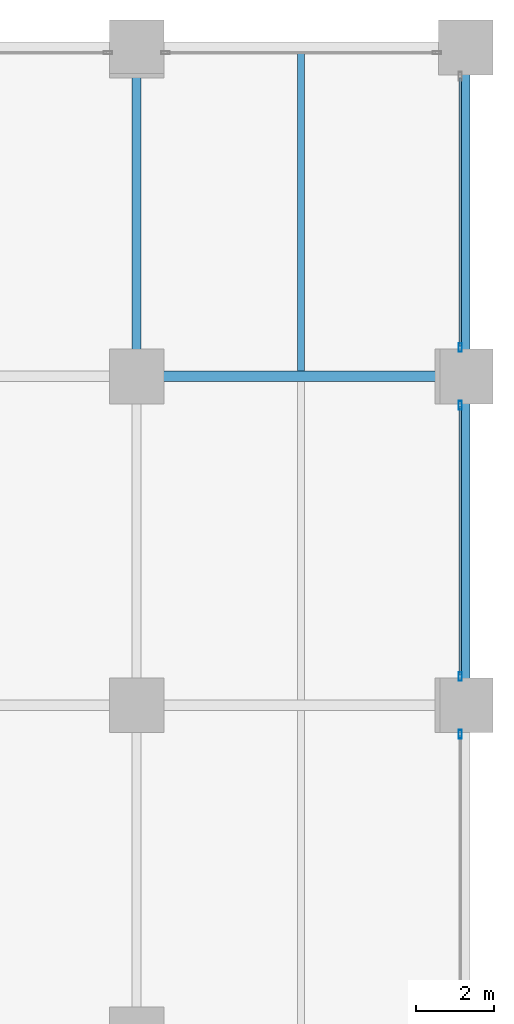
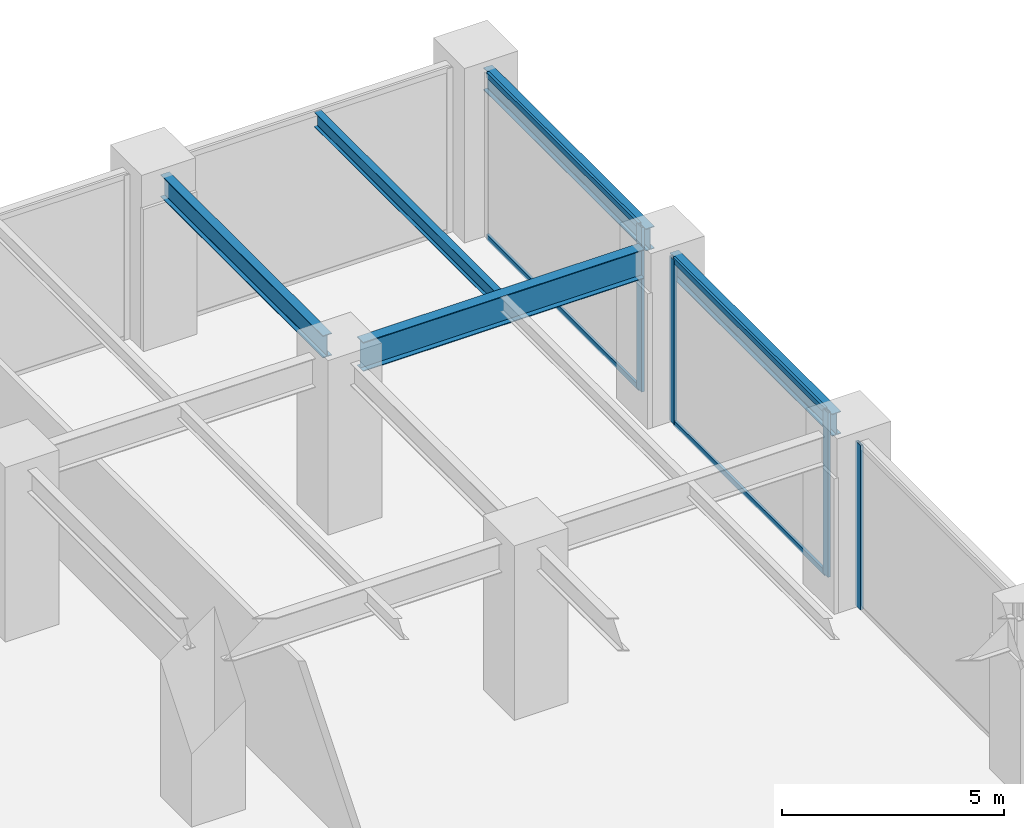
# One storey, part 15 of 24: 8 members, 5 beams, 3 elements without a shape of their own.
"""IFC4 building model written with IfcOpenShell, lengths in metres."""

import ifcopenshell
import ifcopenshell.guid

model = None  # the IFC model being written
_history = None  # IfcOwnerHistory: only IFC2X3 demands one
_inside = {}  # id of a spatial element -> (the spatial element, [elements in it])
_under = {}  # id of a project, library or spatial element -> (it, [spatial elements below it])
_declared = {}  # id of a project -> (the project, [libraries it declares])
_typed = {}  # id of a type object -> (the type object, [elements of that type])
_made_of = {}  # id of a material, layer set ... -> (it, [elements and type objects made of it])


def new_model(schema):
    """Start an empty IFC model of exactly this schema.

    Asked for "IFC4X3", IfcOpenShell would pick the latest addendum, in which some entities
    have other attributes; the version numbers below select the first issue.
    IFC2X3 requires an IfcOwnerHistory on every rooted entity: one is made here for all.
    """
    global model, _history
    if schema == "IFC4X3":
        model = ifcopenshell.file(schema_version=(4, 3, 0, 0))
    else:
        model = ifcopenshell.file(schema=schema)
    _inside.clear()
    _under.clear()
    _declared.clear()
    _typed.clear()
    _made_of.clear()
    _history = None
    if model.schema == "IFC2X3":
        org = make("IfcOrganization", Name="unknown")
        user = make(
            "IfcPersonAndOrganization",
            ThePerson=make("IfcPerson", FamilyName="unknown"),
            TheOrganization=org,
        )
        app = make(
            "IfcApplication",
            ApplicationDeveloper=org,
            Version="unknown",
            ApplicationFullName="unknown",
            ApplicationIdentifier="unknown",
        )
        _history = make(
            "IfcOwnerHistory",
            OwningUser=user,
            OwningApplication=app,
            ChangeAction="ADDED",
            CreationDate=0,
        )
    return model


def make(cls, **values):
    """One entity of the class cls with the attributes given. An attribute that is None is left unset."""
    return model.create_entity(
        cls, **{name: value for name, value in values.items() if value is not None}
    )


def rooted(cls, **values):
    """An entity with a GlobalId (a new one), such as an element, a storey or a relation."""
    return make(cls, GlobalId=ifcopenshell.guid.new(), OwnerHistory=_history, **values)


def si_unit(unit_type, name, prefix=None):
    """IfcSIUnit, for example si_unit("LENGTHUNIT", "METRE", prefix="MILLI")."""
    return make("IfcSIUnit", UnitType=unit_type, Prefix=prefix, Name=name)


def assignment(units):
    """IfcUnitAssignment: the units of a project."""
    return None if units is None else make("IfcUnitAssignment", Units=units)


def point(xyz):
    """IfcCartesianPoint."""
    return None if xyz is None else make("IfcCartesianPoint", Coordinates=xyz)


def direction(xyz):
    """IfcDirection."""
    return None if xyz is None else make("IfcDirection", DirectionRatios=xyz)


def frame(location, z_axis=None, x_axis=None):
    """IfcAxis2Placement3D, a coordinate frame: its origin and axes. An axis left out is left unset."""
    return make(
        "IfcAxis2Placement3D",
        Location=point(location),
        Axis=direction(z_axis),
        RefDirection=direction(x_axis),
    )


def frame_2d(location, x_axis=None):
    """IfcAxis2Placement2D, a coordinate frame in the plane: its origin and x axis."""
    return make(
        "IfcAxis2Placement2D", Location=point(location), RefDirection=direction(x_axis)
    )


def origin():
    """The frame at (0, 0, 0) with its axes left unset."""
    return frame((0.0, 0.0, 0.0))


def origin_2d():
    """The frame at (0, 0) in the plane with its x axis left unset."""
    return frame_2d((0.0, 0.0))


def place(relative_to, where):
    """IfcLocalPlacement: puts the frame where relative to a parent placement (None: the world)."""
    return make(
        "IfcLocalPlacement", PlacementRelTo=relative_to, RelativePlacement=where
    )


def context(
    kind, dimensions, precision=None, world=None, true_north=None, identifier=None
):
    """IfcGeometricRepresentationContext, for example the 3D "Model" context."""
    return make(
        "IfcGeometricRepresentationContext",
        ContextIdentifier=identifier,
        ContextType=kind,
        CoordinateSpaceDimension=dimensions,
        Precision=precision,
        WorldCoordinateSystem=world,
        TrueNorth=true_north,
    )


def subcontext(parent, identifier, kind, view, scale=None):
    """IfcGeometricRepresentationSubContext, for example "Body" below "Model"."""
    return make(
        "IfcGeometricRepresentationSubContext",
        ContextIdentifier=identifier,
        ContextType=kind,
        ParentContext=parent,
        TargetScale=scale,
        TargetView=view,
    )


def project(units=None, contexts=None):
    """IfcProject with its units and contexts."""
    return rooted(
        "IfcProject",
        Name="project",
        RepresentationContexts=contexts,
        UnitsInContext=assignment(units),
    )


def spatial(cls, under=None, at=None, **own):
    """A site, building, storey or space (cls), placed at a placement, below another one or the project."""
    s = rooted(cls, ObjectPlacement=at, **own)
    if under is not None:
        _under.setdefault(under.id(), (under, []))[1].append(s)
    return s


def profile(cls, at=None, kind="AREA", **sizes):
    """A parametric profile (cls). Its sizes go by their IFC names, for example OverallWidth=200.0."""
    return make(cls, ProfileType=kind, Position=at, **sizes)


def hollow_rectangle(**sizes):
    """IfcRectangleHollowProfileDef."""
    return profile("IfcRectangleHollowProfileDef", **sizes)


def i_section(**sizes):
    """IfcIShapeProfileDef."""
    return profile("IfcIShapeProfileDef", **sizes)


def extrude(swept, where, along, depth):
    """IfcExtrudedAreaSolid: the profile swept, set in the frame where, extruded along a direction by depth."""
    return make(
        "IfcExtrudedAreaSolid",
        SweptArea=swept,
        Position=where,
        ExtrudedDirection=direction(along),
        Depth=depth,
    )


def shape(context_of_items, identifier, shape_type, items):
    """IfcShapeRepresentation: the items that make up one representation, for example the "Body"."""
    return make(
        "IfcShapeRepresentation",
        ContextOfItems=context_of_items,
        RepresentationIdentifier=identifier,
        RepresentationType=shape_type,
        Items=items,
    )


def material(Name=None, Category=None):
    """IfcMaterial."""
    return make("IfcMaterial", Name=Name, Category=Category)


def layer(
    of_material, thickness, ventilated=None, Name=None, Category=None, Priority=None
):
    """IfcMaterialLayer: one layer of a wall or slab, of a material (None: an air gap)."""
    return make(
        "IfcMaterialLayer",
        Material=of_material,
        LayerThickness=thickness,
        IsVentilated=ventilated,
        Name=Name,
        Category=Category,
        Priority=Priority,
    )


def layer_set(layers, Name=None):
    """IfcMaterialLayerSet."""
    return make("IfcMaterialLayerSet", MaterialLayers=layers, LayerSetName=Name)


def material_profile(
    of_material, cross_section, Name=None, Category=None, Priority=None
):
    """IfcMaterialProfile: a cross section and its material."""
    return make(
        "IfcMaterialProfile",
        Name=Name,
        Material=of_material,
        Profile=cross_section,
        Priority=Priority,
        Category=Category,
    )


def profile_set(profiles, Name=None, composite=None):
    """IfcMaterialProfileSet."""
    return make(
        "IfcMaterialProfileSet",
        Name=Name,
        MaterialProfiles=profiles,
        CompositeProfile=composite,
    )


def made_of(thing, what):
    """Note that an element or type object is made of a material, layer set ...; save() writes the relation."""
    if what is not None:
        _made_of.setdefault(what.id(), (what, []))[1].append(thing)
    return thing


def type_object(cls, material=None, **own):
    """A type object (cls), such as IfcWallType, which elements share."""
    return made_of(rooted(cls, **own), material)


def element(
    cls,
    number,
    at=None,
    inside=None,
    cuts=None,
    type_object=None,
    material=None,
    context=None,
    identifier="Body",
    shape_type=None,
    held_by="IfcProductDefinitionShape",
    body=None,
    shapes=None,
    **own,
):
    """One element of the class cls, such as IfcWall. Its Tag is "e" and its number.

    at: its placement. inside: the storey or other place that contains it. cuts: it is an
    opening in that element (IfcRelVoidsElement). A single representation is given by context,
    identifier, shape_type and body (its items); several are given by shapes. held_by: the class
    of the entity that holds the representations. save() writes the other relations.
    """
    e = rooted(cls, Tag="e%d" % number, ObjectPlacement=at, **own)
    if body is not None:
        shapes = [shape(context, identifier, shape_type, body)]
    if shapes is not None:
        e.Representation = make(held_by, Representations=shapes)
    if inside is not None:
        _inside.setdefault(inside.id(), (inside, []))[1].append(e)
    if cuts is not None:
        rooted(
            "IfcRelVoidsElement", RelatingBuildingElement=cuts, RelatedOpeningElement=e
        )
    if type_object is not None:
        _typed.setdefault(type_object.id(), (type_object, []))[1].append(e)
    return made_of(e, material)


def aggregate(whole, parts):
    """IfcRelAggregates: a whole, such as a stair, and the parts it consists of."""
    return rooted("IfcRelAggregates", RelatingObject=whole, RelatedObjects=parts)


def save(model, path):
    """Write the relations noted so far, then the file.

    IfcRelAggregates (storeys below a building ...), IfcRelContainedInSpatialStructure (elements
    in a storey), IfcRelDefinesByType, IfcRelAssociatesMaterial and IfcRelDeclares: one each for
    every whole, place, type object, material and project.
    """
    for whole, parts in _under.values():
        aggregate(whole, parts)
    for where, things in _inside.values():
        rooted(
            "IfcRelContainedInSpatialStructure",
            RelatedElements=things,
            RelatingStructure=where,
        )
    for kind, things in _typed.values():
        rooted("IfcRelDefinesByType", RelatedObjects=things, RelatingType=kind)
    for what, things in _made_of.values():
        rooted("IfcRelAssociatesMaterial", RelatedObjects=things, RelatingMaterial=what)
    for by, libraries in _declared.values():
        rooted("IfcRelDeclares", RelatingContext=by, RelatedDefinitions=libraries)
    model.write(path)


model = new_model("IFC4")

# Units and contexts
model_context = context("Model", 3, precision=1e-05, world=origin(), true_north=direction((0.0, 1.0)))
body_context = subcontext(model_context, "Body", "Model", "MODEL_VIEW")
ifc_project = project(units=[si_unit("LENGTHUNIT", "METRE"), si_unit("AREAUNIT", "SQUARE_METRE"), si_unit("VOLUMEUNIT", "CUBIC_METRE"), si_unit("PLANEANGLEUNIT", "RADIAN"), si_unit("MASSUNIT", "GRAM", prefix="KILO")], contexts=[model_context])

# Site, building, storey
site_placement = place(None, origin())
site = spatial("IfcSite", under=ifc_project, at=site_placement, CompositionType="ELEMENT")
building_placement = place(site_placement, origin())
building = spatial("IfcBuilding", under=site, at=building_placement, Name="Nerrivon Quay Data Exchange", CompositionType="ELEMENT")
storey_placement = place(building_placement, frame((0.0, 0.0, 10.199951171875)))
storey = spatial("IfcBuildingStorey", under=building, at=storey_placement, Name="L02", CompositionType="ELEMENT", Elevation=10.199951171875)

# Beams
ifc_material_1 = material(Name="Steel Grade 350", Category="steel")
ifc_material_profile_1 = material_profile(ifc_material_1, i_section(OverallWidth=0.22900390625, OverallDepth=0.612060546875, WebThickness=0.011962890625, FlangeThickness=0.01953125, FilletRadius=0.013916015625, at=origin_2d()), Name="610UB125")
ifc_profile_set_1 = profile_set([ifc_material_profile_1], Name="Steel Grade 350")
beam_type_1 = type_object("IfcBeamType", Name="BM-G1-610UB125", PredefinedType="BEAM", material=ifc_profile_set_1)
for number, where, z_axis, x_axis, name in (
    (1, (50.39990234375, 42.5400390625, 4.218994140625), (0.0, 1.0, 0.0), (-1.0, 0.0, 0.0), "L02 NS Girder X=50.4 (42.0..50.4)"),
    (2, (58.800048828125, 34.139892578125, 4.218994140625), (0.0, 1.0, 0.0), (-1.0, 0.0, 0.0), "L02 NS Girder X=58.8 (33.6..42.0)"),
    (3, (58.800048828125, 42.5400390625, 4.218994140625), (0.0, 1.0, 0.0), (-1.0, 0.0, 0.0), "L02 NS Girder X=58.8 (42.0..50.4)"),
):
    element("IfcBeam", number, at=place(storey_placement, frame(where, z_axis=z_axis, x_axis=x_axis)), inside=storey, type_object=beam_type_1, Name=name, PredefinedType="BEAM", context=body_context, shape_type="SweptSolid", body=[
        extrude(i_section(OverallWidth=0.22900390625, OverallDepth=0.612060546875, WebThickness=0.011962890625, FlangeThickness=0.01953125, FilletRadius=0.013916015625, at=origin_2d()), origin(), (0.0, 0.0, 1.0), 7.320068359375),
    ])
ifc_material_profile_2 = material_profile(ifc_material_1, i_section(OverallWidth=0.27490234375, OverallDepth=0.800048828125, WebThickness=0.010009765625, FlangeThickness=0.02001953125, at=origin_2d()), Name="800WB146")
ifc_profile_set_2 = profile_set([ifc_material_profile_2], Name="Steel Grade 350")
beam_type_2 = type_object("IfcBeamType", Name="BM-G8-800WB146", PredefinedType="BEAM", material=ifc_profile_set_2)
beam_1_placement = place(storey_placement, frame((50.93994140625, 42.0, 4.125), z_axis=(1.0, 0.0, 0.0), x_axis=(0.0, 1.0, 0.0)))
element("IfcBeam", 4, at=beam_1_placement, inside=storey, type_object=beam_type_2, Name="L02 EW Girder Y=42.0 (50.4..58.8)", PredefinedType="BEAM", context=body_context, shape_type="SweptSolid", body=[
    extrude(i_section(OverallWidth=0.27490234375, OverallDepth=0.800048828125, WebThickness=0.010009765625, FlangeThickness=0.02001953125, at=origin_2d()), origin(), (0.0, 0.0, 1.0), 7.320068359375),
])
ifc_material_profile_3 = material_profile(ifc_material_1, i_section(OverallWidth=0.177978515625, OverallDepth=0.403076171875, WebThickness=0.007568359375, FlangeThickness=0.010986328125, FilletRadius=0.011474609375, at=origin_2d()), Name="410UB53.7")
ifc_profile_set_3 = profile_set([ifc_material_profile_3], Name="Steel Grade 350")
beam_type_3 = type_object("IfcBeamType", Name="BM-J2-410UB54", PredefinedType="JOIST", material=ifc_profile_set_3)
beam_2_placement = place(storey_placement, frame((54.60009765625, 42.137451171875, 4.323486328125), z_axis=(0.0, 1.0, 0.0), x_axis=(-1.0, 0.0, 0.0)))
element("IfcBeam", 5, at=beam_2_placement, inside=storey, type_object=beam_type_3, Name="L02 Secondary Joist X=54.6 (42.0..50.4)", PredefinedType="JOIST", context=body_context, shape_type="SweptSolid", body=[
    extrude(i_section(OverallWidth=0.177978515625, OverallDepth=0.403076171875, WebThickness=0.007568359375, FlangeThickness=0.010986328125, FilletRadius=0.011474609375, at=origin_2d()), origin(), (0.0, 0.0, 1.0), 8.125),
])

# Curtain wall, member
ifc_material_2 = material(Name="Anodised aluminium 6063-T6", Category="aluminium")
ifc_layer = layer(ifc_material_2, 0.239990234375)
ifc_layer_set = layer_set([ifc_layer], Name="Anodised aluminium 6063-T6")
curtain_wall_type = type_object("IfcCurtainWallType", Name="CW-SYS-03", PredefinedType="NOTDEFINED", material=ifc_layer_set)
curtain_wall_1_placement = place(storey_placement, origin())
curtain_wall_1 = element("IfcCurtainWall", 6, at=curtain_wall_1_placement, inside=storey, type_object=curtain_wall_type, Name="L02 Unitised Curtain Wall 14", PredefinedType="NOTDEFINED")
ifc_material_profile_4 = material_profile(ifc_material_2, hollow_rectangle(XDim=0.074951171875, YDim=0.219970703125, WallThickness=0.00390625, at=origin_2d()), Name="ALU-MULL-220x75")
ifc_profile_set_4 = profile_set([ifc_material_profile_4], Name="Anodised aluminium 6063-T6")
member_type_1 = type_object("IfcMemberType", Name="CWM-220x75", PredefinedType="MULLION", material=ifc_profile_set_4)
member_1_placement = place(storey_placement, frame((58.659912109375, 42.737548828125, 0.0), z_axis=(0.0, 0.0, 1.0), x_axis=(1.0, 0.0, 0.0)))
member_1 = element("IfcMember", 7, at=member_1_placement, type_object=member_type_1, Name="CW03 mullion 2", PredefinedType="MULLION", context=body_context, shape_type="SweptSolid", body=[
    extrude(hollow_rectangle(XDim=0.074951171875, YDim=0.219970703125, WallThickness=0.00390625, at=origin_2d()), origin(), (0.0, 0.0, 1.0), 4.525146484375),
])

# Curtain wall, members
curtain_wall_2_placement = place(storey_placement, origin())
curtain_wall_2 = element("IfcCurtainWall", 8, at=curtain_wall_2_placement, inside=storey, type_object=curtain_wall_type, Name="L02 Unitised Curtain Wall 15", PredefinedType="NOTDEFINED")
member_2_placement = place(storey_placement, frame((58.659912109375, 41.262451171875, 0.0), z_axis=(0.0, 0.0, 1.0), x_axis=(1.0, 0.0, 0.0)))
member_2 = element("IfcMember", 9, at=member_2_placement, type_object=member_type_1, Name="CW03 mullion 1", PredefinedType="MULLION", context=body_context, shape_type="SweptSolid", body=[
    extrude(hollow_rectangle(XDim=0.074951171875, YDim=0.219970703125, WallThickness=0.00390625, at=origin_2d()), origin(), (0.0, 0.0, 1.0), 4.525146484375),
])
member_3_placement = place(storey_placement, frame((58.659912109375, 34.33740234375, 0.0), z_axis=(0.0, 0.0, 1.0), x_axis=(1.0, 0.0, 0.0)))
member_3 = element("IfcMember", 10, at=member_3_placement, type_object=member_type_1, Name="CW03 mullion 2", PredefinedType="MULLION", context=body_context, shape_type="SweptSolid", body=[
    extrude(hollow_rectangle(XDim=0.074951171875, YDim=0.219970703125, WallThickness=0.00390625, at=origin_2d()), origin(), (0.0, 0.0, 1.0), 4.525146484375),
])

# Curtain wall, member
curtain_wall_3_placement = place(storey_placement, origin())
curtain_wall_3 = element("IfcCurtainWall", 11, at=curtain_wall_3_placement, inside=storey, type_object=curtain_wall_type, Name="L02 Unitised Curtain Wall 16", PredefinedType="NOTDEFINED")
member_4_placement = place(storey_placement, frame((58.659912109375, 32.862548828125, 0.0), z_axis=(0.0, 0.0, 1.0), x_axis=(1.0, 0.0, 0.0)))
member_4 = element("IfcMember", 12, at=member_4_placement, type_object=member_type_1, Name="CW03 mullion 1", PredefinedType="MULLION", context=body_context, shape_type="SweptSolid", body=[
    extrude(hollow_rectangle(XDim=0.074951171875, YDim=0.219970703125, WallThickness=0.00390625, at=origin_2d()), origin(), (0.0, 0.0, 1.0), 4.525146484375),
])
aggregate(curtain_wall_3, [member_4])

# Member
ifc_material_profile_5 = material_profile(ifc_material_2, hollow_rectangle(XDim=0.06494140625, YDim=0.14990234375, WallThickness=0.00341796875, at=origin_2d()), Name="ALU-TRAN-150x65")
ifc_profile_set_5 = profile_set([ifc_material_profile_5], Name="Anodised aluminium 6063-T6")
member_type_2 = type_object("IfcMemberType", Name="CWT-150x65", PredefinedType="USERDEFINED", material=ifc_profile_set_5)
member_5_placement = place(storey_placement, frame((58.659912109375, 49.625, 0.032470703125), z_axis=(0.0, -1.0, 0.0), x_axis=(1.0, 0.0, 0.0)))
member_5 = element("IfcMember", 13, at=member_5_placement, type_object=member_type_2, Name="CW03 transom 1.1", ObjectType="TRANSOM", PredefinedType="USERDEFINED", context=body_context, shape_type="SweptSolid", body=[
    extrude(hollow_rectangle(XDim=0.06494140625, YDim=0.14990234375, WallThickness=0.00341796875, at=origin_2d()), origin(), (0.0, 0.0, 1.0), 6.85009765625),
])

member_6_placement = place(storey_placement, frame((58.659912109375, 49.625, 4.492431640625), z_axis=(0.0, -1.0, 0.0), x_axis=(1.0, 0.0, 0.0)))
member_6 = element("IfcMember", 14, at=member_6_placement, type_object=member_type_2, Name="CW03 transom 1.2", ObjectType="TRANSOM", PredefinedType="USERDEFINED", context=body_context, shape_type="SweptSolid", body=[
    extrude(hollow_rectangle(XDim=0.06494140625, YDim=0.14990234375, WallThickness=0.00341796875, at=origin_2d()), origin(), (0.0, 0.0, 1.0), 6.85009765625),
])

aggregate(curtain_wall_1, [member_1, member_5, member_6])

member_7_placement = place(storey_placement, frame((58.659912109375, 41.22509765625, 0.032470703125), z_axis=(0.0, -1.0, 0.0), x_axis=(1.0, 0.0, 0.0)))
member_7 = element("IfcMember", 15, at=member_7_placement, type_object=member_type_2, Name="CW03 transom 1.1", ObjectType="TRANSOM", PredefinedType="USERDEFINED", context=body_context, shape_type="SweptSolid", body=[
    extrude(hollow_rectangle(XDim=0.06494140625, YDim=0.14990234375, WallThickness=0.00341796875, at=origin_2d()), origin(), (0.0, 0.0, 1.0), 6.85009765625),
])

member_8_placement = place(storey_placement, frame((58.659912109375, 41.22509765625, 4.492431640625), z_axis=(0.0, -1.0, 0.0), x_axis=(1.0, 0.0, 0.0)))
member_8 = element("IfcMember", 16, at=member_8_placement, type_object=member_type_2, Name="CW03 transom 1.2", ObjectType="TRANSOM", PredefinedType="USERDEFINED", context=body_context, shape_type="SweptSolid", body=[
    extrude(hollow_rectangle(XDim=0.06494140625, YDim=0.14990234375, WallThickness=0.00341796875, at=origin_2d()), origin(), (0.0, 0.0, 1.0), 6.85009765625),
])

aggregate(curtain_wall_2, [member_2, member_3, member_7, member_8])

save(model, "model.ifc")
